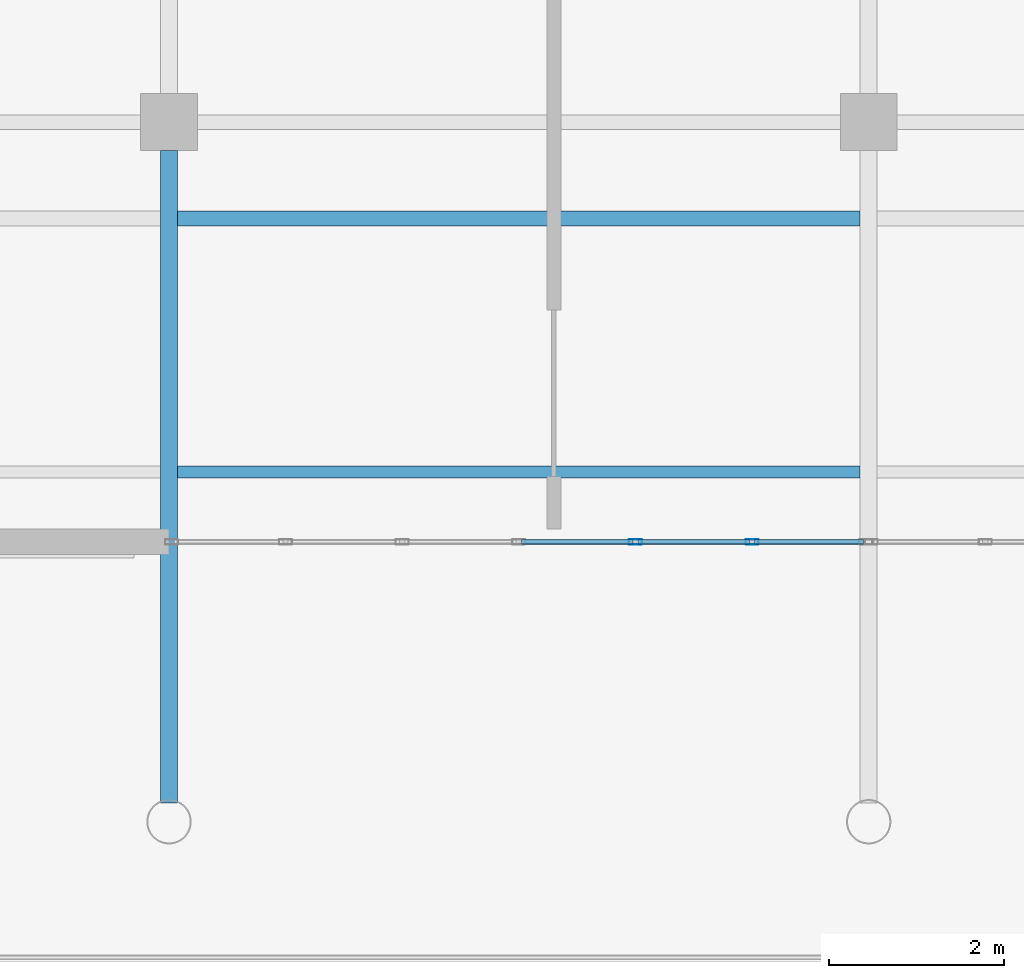
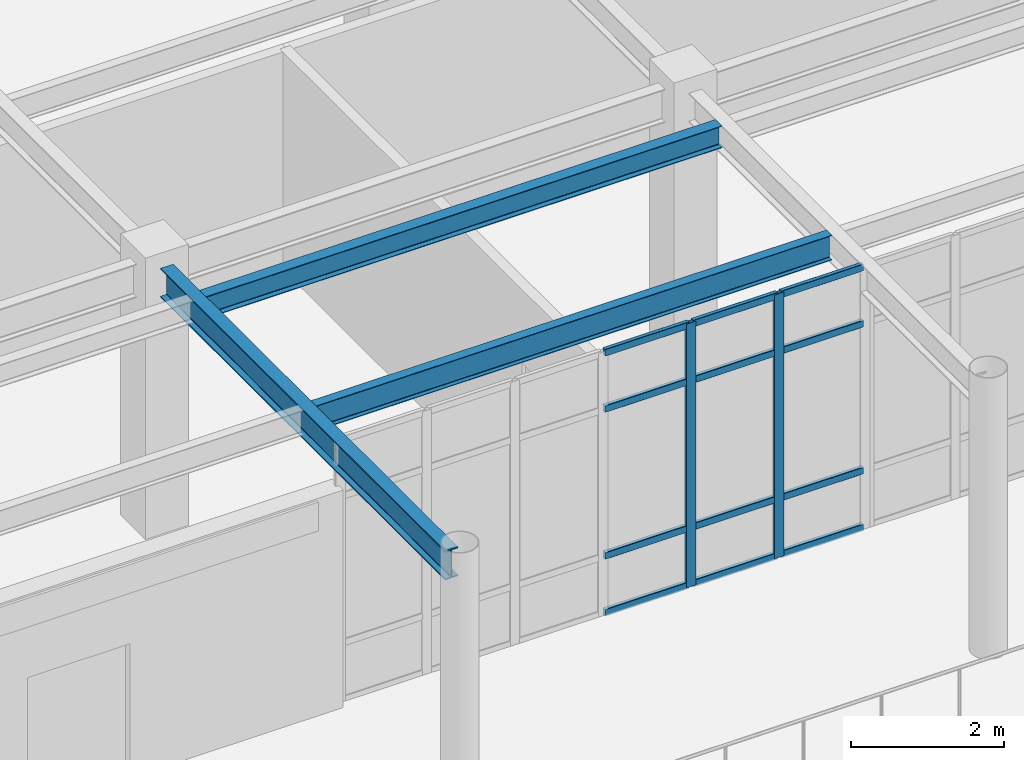
# One storey, part 35 of 75: 14 members, 3 beams, 1 element without a shape of its own.
"""IFC4 building model written with IfcOpenShell, lengths in metres."""

from ifc_helpers import new_model, si_unit, direction, frame, origin, origin_2d, place, context, subcontext, project, spatial, hollow_rectangle, i_section, extrude, material, material_profile, profile_set, type_object, element, aggregate, save


model = new_model("IFC4")

# Units and contexts
model_context = context("Model", 3, precision=1e-05, world=origin(), true_north=direction((0.0, 1.0)))
body_context = subcontext(model_context, "Body", "Model", "MODEL_VIEW")
ifc_project = project(units=[si_unit("LENGTHUNIT", "METRE"), si_unit("AREAUNIT", "SQUARE_METRE"), si_unit("VOLUMEUNIT", "CUBIC_METRE"), si_unit("PLANEANGLEUNIT", "RADIAN"), si_unit("MASSUNIT", "GRAM", prefix="KILO")], contexts=[model_context])

# Site, building, storey
site_placement = place(None, origin())
site = spatial("IfcSite", under=ifc_project, at=site_placement, CompositionType="ELEMENT")
building_placement = place(site_placement, origin())
building = spatial("IfcBuilding", under=site, at=building_placement, Name="Solmirada Galleria", CompositionType="ELEMENT")
storey_placement = place(building_placement, frame((0.0, 0.0, 19.39990234375)))
storey = spatial("IfcBuildingStorey", under=building, at=storey_placement, Name="L04", CompositionType="ELEMENT", Elevation=19.39990234375)

# Beams
ifc_material_1 = material(Name="Steel S355 / ASTM A992 Grade 50", Category="steel")
ifc_material_profile_1 = material_profile(ifc_material_1, i_section(OverallWidth=0.193115234375, OverallDepth=0.466064453125, WebThickness=0.011474609375, FlangeThickness=0.01904296875, FilletRadius=0.013916015625, at=origin_2d()), Name="W18X65")
ifc_profile_set_1 = profile_set([ifc_material_profile_1], Name="Steel S355 / ASTM A992 Grade 50")
beam_type_1 = type_object("IfcBeamType", Name="BM-GIRD-W18C", PredefinedType="BEAM", material=ifc_profile_set_1)
beam_1_placement = place(storey_placement, frame((64.0, 88.21337890625, 4.027099609375), z_axis=(0.0, 1.0, 0.0), x_axis=(-1.0, 0.0, 0.0)))
element("IfcBeam", 1, at=beam_1_placement, inside=storey, type_object=beam_type_1, Name="Primary girder L05 Y(64, 88..96)", PredefinedType="BEAM", context=body_context, shape_type="SweptSolid", body=[
    extrude(i_section(OverallWidth=0.193115234375, OverallDepth=0.466064453125, WebThickness=0.011474609375, FlangeThickness=0.01904296875, FilletRadius=0.013916015625, at=origin_2d()), origin(), (0.0, 0.0, 1.0), 7.461669921875),
])
ifc_material_profile_2 = material_profile(ifc_material_1, i_section(OverallWidth=0.1708984375, OverallDepth=0.35205078125, WebThickness=0.0068359375, FlangeThickness=0.009765625, FilletRadius=0.010986328125, at=origin_2d()), Name="W14X30")
ifc_profile_set_2 = profile_set([ifc_material_profile_2], Name="Steel S355 / ASTM A992 Grade 50")
beam_type_2 = type_object("IfcBeamType", Name="BM-JST-W14B", PredefinedType="JOIST", material=ifc_profile_set_2)
beam_2_placement = place(storey_placement, frame((64.096435546875, 94.89990234375, 4.083984375), z_axis=(1.0, 0.0, 0.0), x_axis=(0.0, 1.0, 0.0)))
element("IfcBeam", 2, at=beam_2_placement, inside=storey, type_object=beam_type_2, Name="Terrace deck joist L05-TERR-NW X=64..72 (2)", PredefinedType="JOIST", context=body_context, shape_type="SweptSolid", body=[
    extrude(i_section(OverallWidth=0.1708984375, OverallDepth=0.35205078125, WebThickness=0.0068359375, FlangeThickness=0.009765625, FilletRadius=0.010986328125, at=origin_2d()), origin(), (0.0, 0.0, 1.0), 7.80712890625),
])
ifc_material_profile_3 = material_profile(ifc_material_1, i_section(OverallWidth=0.139892578125, OverallDepth=0.39892578125, WebThickness=0.00634765625, FlangeThickness=0.0087890625, FilletRadius=0.010986328125, at=origin_2d()), Name="W16X26")
ifc_profile_set_3 = profile_set([ifc_material_profile_3], Name="Steel S355 / ASTM A992 Grade 50")
beam_type_3 = type_object("IfcBeamType", Name="BM-JST-W16C", PredefinedType="JOIST", material=ifc_profile_set_3)
beam_3_placement = place(storey_placement, frame((64.096435546875, 92.0, 4.060546875), z_axis=(1.0, 0.0, 0.0), x_axis=(0.0, 1.0, 0.0)))
element("IfcBeam", 3, at=beam_3_placement, inside=storey, type_object=beam_type_3, Name="Composite floor joist L05 (64..72, 92.0)", PredefinedType="JOIST", context=body_context, shape_type="SweptSolid", body=[
    extrude(i_section(OverallWidth=0.139892578125, OverallDepth=0.39892578125, WebThickness=0.00634765625, FlangeThickness=0.0087890625, FilletRadius=0.010986328125, at=origin_2d()), origin(), (0.0, 0.0, 1.0), 7.80712890625),
])

# Curtain wall, members
ifc_material_2 = material(Name="Impact-resistant low-E double glazing", Category="glass")
curtain_wall_type = type_object("IfcCurtainWallType", Name="CW-FZ4-L04-B6-L080", PredefinedType="NOTDEFINED", material=ifc_material_2)
curtain_wall_placement = place(storey_placement, origin())
curtain_wall = element("IfcCurtainWall", 4, at=curtain_wall_placement, inside=storey, type_object=curtain_wall_type, Name="Terrace and arcade storefront CW-L04-148", PredefinedType="NOTDEFINED")
ifc_material_3 = material(Name="Anodised aluminium framing", Category="aluminium")
ifc_material_profile_4 = material_profile(ifc_material_3, hollow_rectangle(XDim=0.06005859375, YDim=0.14990234375, WallThickness=0.00341796875, InnerFilletRadius=0.00341796875, OuterFilletRadius=0.007080078125, at=origin_2d()), Name="ALU-MULL-150X60")
ifc_profile_set_4 = profile_set([ifc_material_profile_4], Name="Anodised aluminium framing")
member_type_1 = type_object("IfcMemberType", Name="CW-MULL-150", PredefinedType="MULLION", material=ifc_profile_set_4)
member_1_placement = place(storey_placement, frame((70.666748046875, 91.199951171875, 0.0), z_axis=(0.0, 0.0, 1.0), x_axis=(0.0, -1.0, 0.0)))
member_1 = element("IfcMember", 5, at=member_1_placement, type_object=member_type_1, Name="CW31 mullion 2", PredefinedType="MULLION", context=body_context, shape_type="SweptSolid", body=[
    extrude(hollow_rectangle(XDim=0.06005859375, YDim=0.14990234375, WallThickness=0.00341796875, InnerFilletRadius=0.00341796875, OuterFilletRadius=0.007080078125, at=origin_2d()), origin(), (0.0, 0.0, 1.0), 4.22021484375),
])
member_2_placement = place(storey_placement, frame((69.333251953125, 91.199951171875, 0.0), z_axis=(0.0, 0.0, 1.0), x_axis=(0.0, -1.0, 0.0)))
member_2 = element("IfcMember", 6, at=member_2_placement, type_object=member_type_1, Name="CW31 mullion 3", PredefinedType="MULLION", context=body_context, shape_type="SweptSolid", body=[
    extrude(hollow_rectangle(XDim=0.06005859375, YDim=0.14990234375, WallThickness=0.00341796875, InnerFilletRadius=0.00341796875, OuterFilletRadius=0.007080078125, at=origin_2d()), origin(), (0.0, 0.0, 1.0), 4.22021484375),
])
ifc_material_profile_5 = material_profile(ifc_material_3, hollow_rectangle(XDim=0.06005859375, YDim=0.110107421875, WallThickness=0.003173828125, InnerFilletRadius=0.003173828125, OuterFilletRadius=0.00634765625, at=origin_2d()), Name="ALU-TRAN-110X60")
ifc_profile_set_5 = profile_set([ifc_material_profile_5], Name="Anodised aluminium framing")
member_type_2 = type_object("IfcMemberType", Name="CW-TRAN-110", PredefinedType="USERDEFINED", material=ifc_profile_set_5)
member_3_placement = place(storey_placement, frame((71.93994140625, 91.199951171875, 0.030029296875), z_axis=(-1.0, 0.0, 0.0), x_axis=(0.0, -1.0, 0.0)))
member_3 = element("IfcMember", 7, at=member_3_placement, type_object=member_type_2, Name="CW31 transom 1.1", ObjectType="TRANSOM", PredefinedType="USERDEFINED", context=body_context, shape_type="SweptSolid", body=[
    extrude(hollow_rectangle(XDim=0.06005859375, YDim=0.110107421875, WallThickness=0.003173828125, InnerFilletRadius=0.003173828125, OuterFilletRadius=0.00634765625, at=origin_2d()), origin(), (0.0, 0.0, 1.0), 1.2431640625),
])
member_4_placement = place(storey_placement, frame((71.93994140625, 91.199951171875, 0.940185546875), z_axis=(-1.0, 0.0, 0.0), x_axis=(0.0, -1.0, 0.0)))
member_4 = element("IfcMember", 8, at=member_4_placement, type_object=member_type_2, Name="CW31 transom 1.2", ObjectType="TRANSOM", PredefinedType="USERDEFINED", context=body_context, shape_type="SweptSolid", body=[
    extrude(hollow_rectangle(XDim=0.06005859375, YDim=0.110107421875, WallThickness=0.003173828125, InnerFilletRadius=0.003173828125, OuterFilletRadius=0.00634765625, at=origin_2d()), origin(), (0.0, 0.0, 1.0), 1.2431640625),
])
member_5_placement = place(storey_placement, frame((71.93994140625, 91.199951171875, 3.2900390625), z_axis=(-1.0, 0.0, 0.0), x_axis=(0.0, -1.0, 0.0)))
member_5 = element("IfcMember", 9, at=member_5_placement, type_object=member_type_2, Name="CW31 transom 1.3", ObjectType="TRANSOM", PredefinedType="USERDEFINED", context=body_context, shape_type="SweptSolid", body=[
    extrude(hollow_rectangle(XDim=0.06005859375, YDim=0.110107421875, WallThickness=0.003173828125, InnerFilletRadius=0.003173828125, OuterFilletRadius=0.00634765625, at=origin_2d()), origin(), (0.0, 0.0, 1.0), 1.2431640625),
])
member_6_placement = place(storey_placement, frame((71.93994140625, 91.199951171875, 4.190185546875), z_axis=(-1.0, 0.0, 0.0), x_axis=(0.0, -1.0, 0.0)))
member_6 = element("IfcMember", 10, at=member_6_placement, type_object=member_type_2, Name="CW31 transom 1.4", ObjectType="TRANSOM", PredefinedType="USERDEFINED", context=body_context, shape_type="SweptSolid", body=[
    extrude(hollow_rectangle(XDim=0.06005859375, YDim=0.110107421875, WallThickness=0.003173828125, InnerFilletRadius=0.003173828125, OuterFilletRadius=0.00634765625, at=origin_2d()), origin(), (0.0, 0.0, 1.0), 1.2431640625),
])
member_7_placement = place(storey_placement, frame((70.63671875, 91.199951171875, 0.030029296875), z_axis=(-1.0, 0.0, 0.0), x_axis=(0.0, -1.0, 0.0)))
member_7 = element("IfcMember", 11, at=member_7_placement, type_object=member_type_2, Name="CW31 transom 2.1", ObjectType="TRANSOM", PredefinedType="USERDEFINED", context=body_context, shape_type="SweptSolid", body=[
    extrude(hollow_rectangle(XDim=0.06005859375, YDim=0.110107421875, WallThickness=0.003173828125, InnerFilletRadius=0.003173828125, OuterFilletRadius=0.00634765625, at=origin_2d()), origin(), (0.0, 0.0, 1.0), 1.2734375),
])
member_8_placement = place(storey_placement, frame((70.63671875, 91.199951171875, 0.940185546875), z_axis=(-1.0, 0.0, 0.0), x_axis=(0.0, -1.0, 0.0)))
member_8 = element("IfcMember", 12, at=member_8_placement, type_object=member_type_2, Name="CW31 transom 2.2", ObjectType="TRANSOM", PredefinedType="USERDEFINED", context=body_context, shape_type="SweptSolid", body=[
    extrude(hollow_rectangle(XDim=0.06005859375, YDim=0.110107421875, WallThickness=0.003173828125, InnerFilletRadius=0.003173828125, OuterFilletRadius=0.00634765625, at=origin_2d()), origin(), (0.0, 0.0, 1.0), 1.2734375),
])
member_9_placement = place(storey_placement, frame((70.63671875, 91.199951171875, 3.2900390625), z_axis=(-1.0, 0.0, 0.0), x_axis=(0.0, -1.0, 0.0)))
member_9 = element("IfcMember", 13, at=member_9_placement, type_object=member_type_2, Name="CW31 transom 2.3", ObjectType="TRANSOM", PredefinedType="USERDEFINED", context=body_context, shape_type="SweptSolid", body=[
    extrude(hollow_rectangle(XDim=0.06005859375, YDim=0.110107421875, WallThickness=0.003173828125, InnerFilletRadius=0.003173828125, OuterFilletRadius=0.00634765625, at=origin_2d()), origin(), (0.0, 0.0, 1.0), 1.2734375),
])
member_10_placement = place(storey_placement, frame((70.63671875, 91.199951171875, 4.190185546875), z_axis=(-1.0, 0.0, 0.0), x_axis=(0.0, -1.0, 0.0)))
member_10 = element("IfcMember", 14, at=member_10_placement, type_object=member_type_2, Name="CW31 transom 2.4", ObjectType="TRANSOM", PredefinedType="USERDEFINED", context=body_context, shape_type="SweptSolid", body=[
    extrude(hollow_rectangle(XDim=0.06005859375, YDim=0.110107421875, WallThickness=0.003173828125, InnerFilletRadius=0.003173828125, OuterFilletRadius=0.00634765625, at=origin_2d()), origin(), (0.0, 0.0, 1.0), 1.2734375),
])
member_11_placement = place(storey_placement, frame((69.30322265625, 91.199951171875, 0.030029296875), z_axis=(-1.0, 0.0, 0.0), x_axis=(0.0, -1.0, 0.0)))
member_11 = element("IfcMember", 15, at=member_11_placement, type_object=member_type_2, Name="CW31 transom 3.1", ObjectType="TRANSOM", PredefinedType="USERDEFINED", context=body_context, shape_type="SweptSolid", body=[
    extrude(hollow_rectangle(XDim=0.06005859375, YDim=0.110107421875, WallThickness=0.003173828125, InnerFilletRadius=0.003173828125, OuterFilletRadius=0.00634765625, at=origin_2d()), origin(), (0.0, 0.0, 1.0), 1.273193359375),
])
member_12_placement = place(storey_placement, frame((69.30322265625, 91.199951171875, 0.940185546875), z_axis=(-1.0, 0.0, 0.0), x_axis=(0.0, -1.0, 0.0)))
member_12 = element("IfcMember", 16, at=member_12_placement, type_object=member_type_2, Name="CW31 transom 3.2", ObjectType="TRANSOM", PredefinedType="USERDEFINED", context=body_context, shape_type="SweptSolid", body=[
    extrude(hollow_rectangle(XDim=0.06005859375, YDim=0.110107421875, WallThickness=0.003173828125, InnerFilletRadius=0.003173828125, OuterFilletRadius=0.00634765625, at=origin_2d()), origin(), (0.0, 0.0, 1.0), 1.273193359375),
])
member_13_placement = place(storey_placement, frame((69.30322265625, 91.199951171875, 3.2900390625), z_axis=(-1.0, 0.0, 0.0), x_axis=(0.0, -1.0, 0.0)))
member_13 = element("IfcMember", 17, at=member_13_placement, type_object=member_type_2, Name="CW31 transom 3.3", ObjectType="TRANSOM", PredefinedType="USERDEFINED", context=body_context, shape_type="SweptSolid", body=[
    extrude(hollow_rectangle(XDim=0.06005859375, YDim=0.110107421875, WallThickness=0.003173828125, InnerFilletRadius=0.003173828125, OuterFilletRadius=0.00634765625, at=origin_2d()), origin(), (0.0, 0.0, 1.0), 1.273193359375),
])
member_14_placement = place(storey_placement, frame((69.30322265625, 91.199951171875, 4.190185546875), z_axis=(-1.0, 0.0, 0.0), x_axis=(0.0, -1.0, 0.0)))
member_14 = element("IfcMember", 18, at=member_14_placement, type_object=member_type_2, Name="CW31 transom 3.4", ObjectType="TRANSOM", PredefinedType="USERDEFINED", context=body_context, shape_type="SweptSolid", body=[
    extrude(hollow_rectangle(XDim=0.06005859375, YDim=0.110107421875, WallThickness=0.003173828125, InnerFilletRadius=0.003173828125, OuterFilletRadius=0.00634765625, at=origin_2d()), origin(), (0.0, 0.0, 1.0), 1.273193359375),
])
aggregate(curtain_wall, [member_1, member_2, member_3, member_4, member_5, member_6, member_7, member_8, member_9, member_10, member_11, member_12, member_13, member_14])

save(model, "model.ifc")
